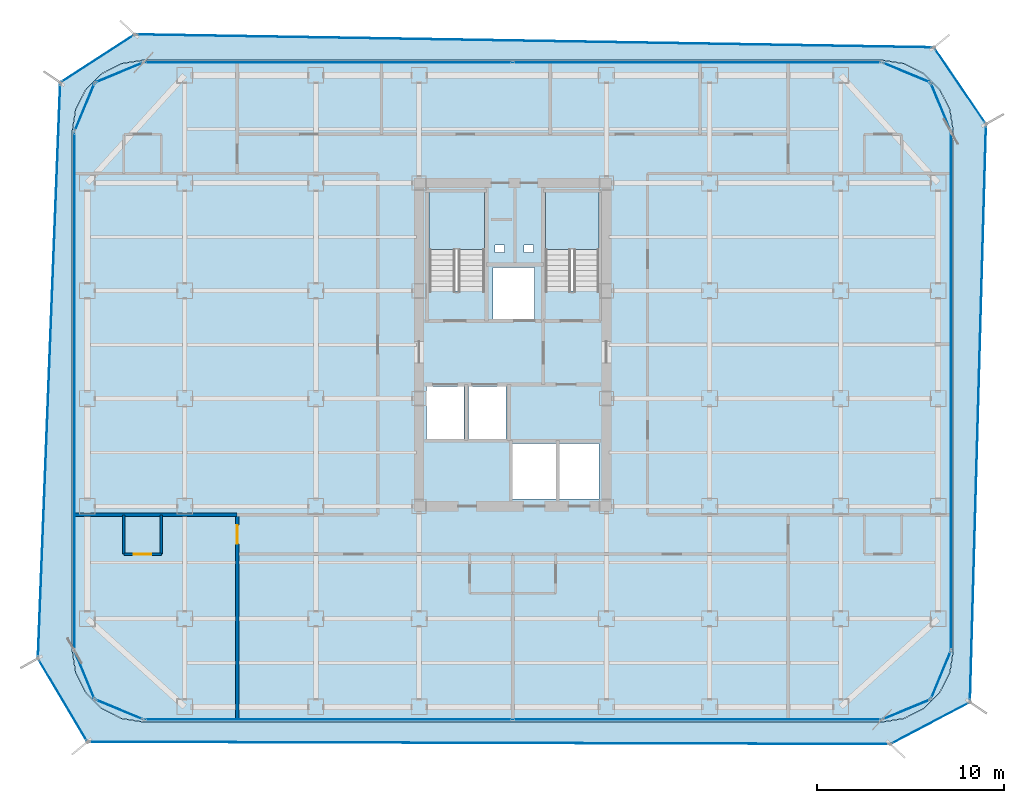
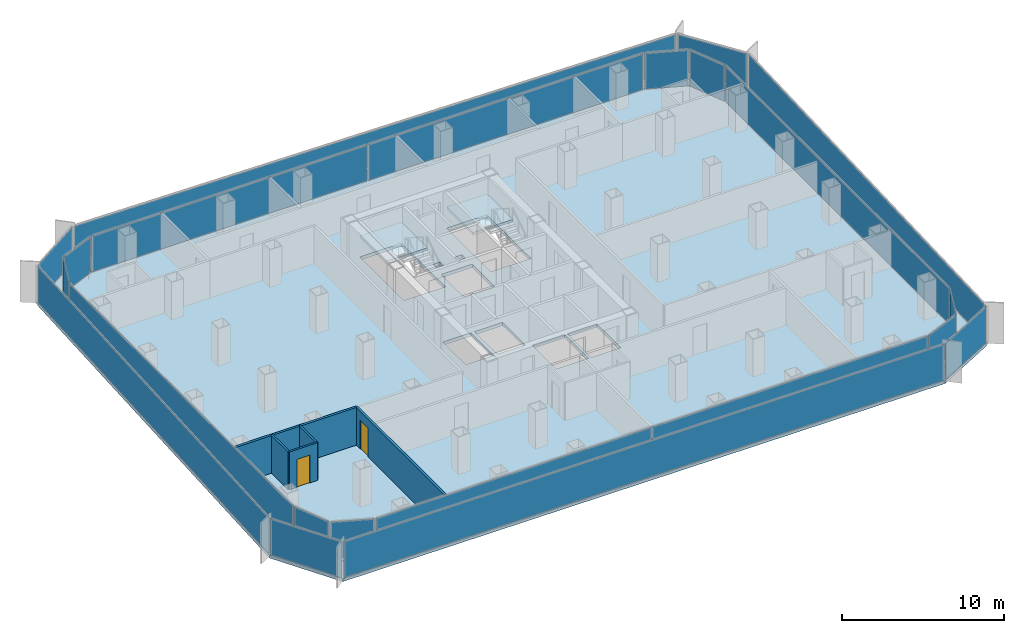
# One storey, part 15 of 21: 22 plates, 5 walls, 4 slabs, 2 doors, 2 openings, 22 elements without a shape of their own.
"""IFC4 building model written with IfcOpenShell, lengths in metres."""

import ifcopenshell
import ifcopenshell.guid

model = None  # the IFC model being written
_history = None  # IfcOwnerHistory: only IFC2X3 demands one
_inside = {}  # id of a spatial element -> (the spatial element, [elements in it])
_under = {}  # id of a project, library or spatial element -> (it, [spatial elements below it])
_declared = {}  # id of a project -> (the project, [libraries it declares])
_typed = {}  # id of a type object -> (the type object, [elements of that type])
_made_of = {}  # id of a material, layer set ... -> (it, [elements and type objects made of it])


def new_model(schema):
    """Start an empty IFC model of exactly this schema.

    Asked for "IFC4X3", IfcOpenShell would pick the latest addendum, in which some entities
    have other attributes; the version numbers below select the first issue.
    IFC2X3 requires an IfcOwnerHistory on every rooted entity: one is made here for all.
    """
    global model, _history
    if schema == "IFC4X3":
        model = ifcopenshell.file(schema_version=(4, 3, 0, 0))
    else:
        model = ifcopenshell.file(schema=schema)
    _inside.clear()
    _under.clear()
    _declared.clear()
    _typed.clear()
    _made_of.clear()
    _history = None
    if model.schema == "IFC2X3":
        org = make("IfcOrganization", Name="unknown")
        user = make(
            "IfcPersonAndOrganization",
            ThePerson=make("IfcPerson", FamilyName="unknown"),
            TheOrganization=org,
        )
        app = make(
            "IfcApplication",
            ApplicationDeveloper=org,
            Version="unknown",
            ApplicationFullName="unknown",
            ApplicationIdentifier="unknown",
        )
        _history = make(
            "IfcOwnerHistory",
            OwningUser=user,
            OwningApplication=app,
            ChangeAction="ADDED",
            CreationDate=0,
        )
    return model


def make(cls, **values):
    """One entity of the class cls with the attributes given. An attribute that is None is left unset."""
    return model.create_entity(
        cls, **{name: value for name, value in values.items() if value is not None}
    )


def rooted(cls, **values):
    """An entity with a GlobalId (a new one), such as an element, a storey or a relation."""
    return make(cls, GlobalId=ifcopenshell.guid.new(), OwnerHistory=_history, **values)


def si_unit(unit_type, name, prefix=None):
    """IfcSIUnit, for example si_unit("LENGTHUNIT", "METRE", prefix="MILLI")."""
    return make("IfcSIUnit", UnitType=unit_type, Prefix=prefix, Name=name)


def assignment(units):
    """IfcUnitAssignment: the units of a project."""
    return None if units is None else make("IfcUnitAssignment", Units=units)


def point(xyz):
    """IfcCartesianPoint."""
    return None if xyz is None else make("IfcCartesianPoint", Coordinates=xyz)


def direction(xyz):
    """IfcDirection."""
    return None if xyz is None else make("IfcDirection", DirectionRatios=xyz)


def frame(location, z_axis=None, x_axis=None):
    """IfcAxis2Placement3D, a coordinate frame: its origin and axes. An axis left out is left unset."""
    return make(
        "IfcAxis2Placement3D",
        Location=point(location),
        Axis=direction(z_axis),
        RefDirection=direction(x_axis),
    )


def frame_2d(location, x_axis=None):
    """IfcAxis2Placement2D, a coordinate frame in the plane: its origin and x axis."""
    return make(
        "IfcAxis2Placement2D", Location=point(location), RefDirection=direction(x_axis)
    )


def origin():
    """The frame at (0, 0, 0) with its axes left unset."""
    return frame((0.0, 0.0, 0.0))


def origin_2d():
    """The frame at (0, 0) in the plane with its x axis left unset."""
    return frame_2d((0.0, 0.0))


def place(relative_to, where):
    """IfcLocalPlacement: puts the frame where relative to a parent placement (None: the world)."""
    return make(
        "IfcLocalPlacement", PlacementRelTo=relative_to, RelativePlacement=where
    )


def context(
    kind, dimensions, precision=None, world=None, true_north=None, identifier=None
):
    """IfcGeometricRepresentationContext, for example the 3D "Model" context."""
    return make(
        "IfcGeometricRepresentationContext",
        ContextIdentifier=identifier,
        ContextType=kind,
        CoordinateSpaceDimension=dimensions,
        Precision=precision,
        WorldCoordinateSystem=world,
        TrueNorth=true_north,
    )


def subcontext(parent, identifier, kind, view, scale=None):
    """IfcGeometricRepresentationSubContext, for example "Body" below "Model"."""
    return make(
        "IfcGeometricRepresentationSubContext",
        ContextIdentifier=identifier,
        ContextType=kind,
        ParentContext=parent,
        TargetScale=scale,
        TargetView=view,
    )


def project(units=None, contexts=None):
    """IfcProject with its units and contexts."""
    return rooted(
        "IfcProject",
        Name="project",
        RepresentationContexts=contexts,
        UnitsInContext=assignment(units),
    )


def spatial(cls, under=None, at=None, **own):
    """A site, building, storey or space (cls), placed at a placement, below another one or the project."""
    s = rooted(cls, ObjectPlacement=at, **own)
    if under is not None:
        _under.setdefault(under.id(), (under, []))[1].append(s)
    return s


def polyline(points):
    """IfcPolyline through the points."""
    return make("IfcPolyline", Points=[point(p) for p in points])


def profile(cls, at=None, kind="AREA", **sizes):
    """A parametric profile (cls). Its sizes go by their IFC names, for example OverallWidth=200.0."""
    return make(cls, ProfileType=kind, Position=at, **sizes)


def rectangle(**sizes):
    """IfcRectangleProfileDef."""
    return profile("IfcRectangleProfileDef", **sizes)


def outline(outer, holes=None, kind="AREA"):
    """IfcArbitraryClosedProfileDef: a profile drawn as a closed curve; with holes, ...WithVoids."""
    if holes is None:
        return make("IfcArbitraryClosedProfileDef", ProfileType=kind, OuterCurve=outer)
    return make(
        "IfcArbitraryProfileDefWithVoids",
        ProfileType=kind,
        OuterCurve=outer,
        InnerCurves=holes,
    )


def extrude(swept, where, along, depth):
    """IfcExtrudedAreaSolid: the profile swept, set in the frame where, extruded along a direction by depth."""
    return make(
        "IfcExtrudedAreaSolid",
        SweptArea=swept,
        Position=where,
        ExtrudedDirection=direction(along),
        Depth=depth,
    )


def shape(context_of_items, identifier, shape_type, items):
    """IfcShapeRepresentation: the items that make up one representation, for example the "Body"."""
    return make(
        "IfcShapeRepresentation",
        ContextOfItems=context_of_items,
        RepresentationIdentifier=identifier,
        RepresentationType=shape_type,
        Items=items,
    )


def source(mapping_origin, context_of_items, identifier, shape_type, items):
    """IfcRepresentationMap: a shape defined once, which mapped items show again and again."""
    return make(
        "IfcRepresentationMap",
        MappingOrigin=mapping_origin,
        MappedRepresentation=shape(context_of_items, identifier, shape_type, items),
    )


def transform(
    local_origin,
    x_axis=None,
    y_axis=None,
    z_axis=None,
    scale=None,
    scale2=None,
    scale3=None,
    uniform=True,
):
    """IfcCartesianTransformationOperator3D, or its non-uniform kind. x_axis, y_axis, z_axis: its Axis1, 2, 3."""
    if uniform:
        return make(
            "IfcCartesianTransformationOperator3D",
            Axis1=direction(x_axis),
            Axis2=direction(y_axis),
            LocalOrigin=point(local_origin),
            Scale=scale,
            Axis3=direction(z_axis),
        )
    return make(
        "IfcCartesianTransformationOperator3DnonUniform",
        Axis1=direction(x_axis),
        Axis2=direction(y_axis),
        LocalOrigin=point(local_origin),
        Scale=scale,
        Axis3=direction(z_axis),
        Scale2=scale2,
        Scale3=scale3,
    )


def mapped(mapping_source, mapping_target):
    """IfcMappedItem: shows the shape of a source again, moved by a transform."""
    return make(
        "IfcMappedItem", MappingSource=mapping_source, MappingTarget=mapping_target
    )


def material(Name=None, Category=None):
    """IfcMaterial."""
    return make("IfcMaterial", Name=Name, Category=Category)


def layer(
    of_material, thickness, ventilated=None, Name=None, Category=None, Priority=None
):
    """IfcMaterialLayer: one layer of a wall or slab, of a material (None: an air gap)."""
    return make(
        "IfcMaterialLayer",
        Material=of_material,
        LayerThickness=thickness,
        IsVentilated=ventilated,
        Name=Name,
        Category=Category,
        Priority=Priority,
    )


def layer_set(layers, Name=None):
    """IfcMaterialLayerSet."""
    return make("IfcMaterialLayerSet", MaterialLayers=layers, LayerSetName=Name)


def made_of(thing, what):
    """Note that an element or type object is made of a material, layer set ...; save() writes the relation."""
    if what is not None:
        _made_of.setdefault(what.id(), (what, []))[1].append(thing)
    return thing


def type_object(cls, material=None, **own):
    """A type object (cls), such as IfcWallType, which elements share."""
    return made_of(rooted(cls, **own), material)


def element(
    cls,
    number,
    at=None,
    inside=None,
    cuts=None,
    type_object=None,
    material=None,
    context=None,
    identifier="Body",
    shape_type=None,
    held_by="IfcProductDefinitionShape",
    body=None,
    shapes=None,
    **own,
):
    """One element of the class cls, such as IfcWall. Its Tag is "e" and its number.

    at: its placement. inside: the storey or other place that contains it. cuts: it is an
    opening in that element (IfcRelVoidsElement). A single representation is given by context,
    identifier, shape_type and body (its items); several are given by shapes. held_by: the class
    of the entity that holds the representations. save() writes the other relations.
    """
    e = rooted(cls, Tag="e%d" % number, ObjectPlacement=at, **own)
    if body is not None:
        shapes = [shape(context, identifier, shape_type, body)]
    if shapes is not None:
        e.Representation = make(held_by, Representations=shapes)
    if inside is not None:
        _inside.setdefault(inside.id(), (inside, []))[1].append(e)
    if cuts is not None:
        rooted(
            "IfcRelVoidsElement", RelatingBuildingElement=cuts, RelatedOpeningElement=e
        )
    if type_object is not None:
        _typed.setdefault(type_object.id(), (type_object, []))[1].append(e)
    return made_of(e, material)


def fill(opening, filler):
    """IfcRelFillsElement: the door or window that sits in an opening."""
    return rooted(
        "IfcRelFillsElement",
        RelatingOpeningElement=opening,
        RelatedBuildingElement=filler,
    )


def aggregate(whole, parts):
    """IfcRelAggregates: a whole, such as a stair, and the parts it consists of."""
    return rooted("IfcRelAggregates", RelatingObject=whole, RelatedObjects=parts)


def save(model, path):
    """Write the relations noted so far, then the file.

    IfcRelAggregates (storeys below a building ...), IfcRelContainedInSpatialStructure (elements
    in a storey), IfcRelDefinesByType, IfcRelAssociatesMaterial and IfcRelDeclares: one each for
    every whole, place, type object, material and project.
    """
    for whole, parts in _under.values():
        aggregate(whole, parts)
    for where, things in _inside.values():
        rooted(
            "IfcRelContainedInSpatialStructure",
            RelatedElements=things,
            RelatingStructure=where,
        )
    for kind, things in _typed.values():
        rooted("IfcRelDefinesByType", RelatedObjects=things, RelatingType=kind)
    for what, things in _made_of.values():
        rooted("IfcRelAssociatesMaterial", RelatedObjects=things, RelatingMaterial=what)
    for by, libraries in _declared.values():
        rooted("IfcRelDeclares", RelatingContext=by, RelatedDefinitions=libraries)
    model.write(path)


model = new_model("IFC4")

# Units and contexts
model_context = context("Model", 3, precision=1e-05, world=origin(), true_north=direction((0.0, 1.0)))
body_context = subcontext(model_context, "Body", "Model", "MODEL_VIEW")
ifc_project = project(units=[si_unit("LENGTHUNIT", "METRE"), si_unit("AREAUNIT", "SQUARE_METRE"), si_unit("VOLUMEUNIT", "CUBIC_METRE"), si_unit("PLANEANGLEUNIT", "RADIAN"), si_unit("MASSUNIT", "GRAM", prefix="KILO")], contexts=[model_context])

# Site, building, storey
site_placement = place(None, origin())
site = spatial("IfcSite", under=ifc_project, at=site_placement, CompositionType="ELEMENT")
building_placement = place(site_placement, origin())
building = spatial("IfcBuilding", under=site, at=building_placement, Name="Kolveth Station Tower", CompositionType="ELEMENT")
storey_placement = place(building_placement, frame((0.0, 0.0, 140.699951171875)))
storey = spatial("IfcBuildingStorey", under=building, at=storey_placement, Name="L39", CompositionType="ELEMENT", Elevation=140.699951171875)

# Slab
ifc_material_1 = material(Name="Concrete C40/50", Category="concrete")
ifc_layer_1 = layer(ifc_material_1, 0.25)
ifc_layer_set_1 = layer_set([ifc_layer_1], Name="Concrete C40/50")
slab_type_1 = type_object("IfcSlabType", Name="Slab_SF-250", PredefinedType="FLOOR", material=ifc_layer_set_1)
slab_1_placement = place(storey_placement, frame((0.0, 0.0, -0.25)))
element("IfcSlab", 1, at=slab_1_placement, inside=storey, type_object=slab_type_1, Name="L39 Tower Structural Floor Slab", PredefinedType="FLOOR", context=body_context, shape_type="SweptSolid", body=[
    extrude(outline(polyline([(43.199951171875, 0.0), (44.374267578125, 0.18603515625), (45.43359375, 0.7255859375), (46.2744140625, 1.56640625), (46.81396484375, 2.625732421875), (47.0, 3.800048828125), (47.0, 31.5), (46.81396484375, 32.67431640625), (46.2744140625, 33.733642578125), (45.43359375, 34.57421875), (44.374267578125, 35.114013671875), (43.199951171875, 35.300048828125), (3.800048828125, 35.300048828125), (2.625732421875, 35.114013671875), (1.56640625, 34.57421875), (0.7255859375, 33.733642578125), (0.18603515625, 32.67431640625), (0.0, 31.5), (0.0, 3.800048828125), (0.18603515625, 2.625732421875), (0.7255859375, 1.56640625), (1.56640625, 0.7255859375), (2.625732421875, 0.18603515625), (3.800048828125, 0.0), (43.199951171875, 0.0)]), holes=[polyline([(19.0400390625, 22.985107421875), (22.0, 22.985107421875), (22.0, 28.39990234375), (19.0400390625, 28.39990234375), (19.0400390625, 22.985107421875)]), polyline([(25.239990234375, 22.985107421875), (28.10009765625, 22.985107421875), (28.10009765625, 28.39990234375), (25.239990234375, 28.39990234375), (25.239990234375, 22.985107421875)]), polyline([(18.89990234375, 15.10009765625), (20.89990234375, 15.10009765625), (20.89990234375, 17.89990234375), (18.89990234375, 17.89990234375), (18.89990234375, 15.10009765625)]), polyline([(21.14990234375, 15.10009765625), (23.14990234375, 15.10009765625), (23.14990234375, 17.89990234375), (21.14990234375, 17.89990234375), (21.14990234375, 15.10009765625)]), polyline([(22.449951171875, 21.5), (24.64990234375, 21.5), (24.64990234375, 24.25), (22.449951171875, 24.25), (22.449951171875, 21.5)]), polyline([(23.5, 11.89990234375), (25.800048828125, 11.89990234375), (25.800048828125, 14.85009765625), (23.5, 14.85009765625), (23.5, 11.89990234375)]), polyline([(26.0, 11.89990234375), (28.10009765625, 11.89990234375), (28.10009765625, 14.85009765625), (26.0, 14.85009765625), (26.0, 11.89990234375)]), polyline([(22.550048828125, 25.050048828125), (23.050048828125, 25.050048828125), (23.050048828125, 25.449951171875), (22.550048828125, 25.449951171875), (22.550048828125, 25.050048828125)]), polyline([(24.10009765625, 25.050048828125), (24.60009765625, 25.050048828125), (24.60009765625, 25.449951171875), (24.10009765625, 25.449951171875), (24.10009765625, 25.050048828125)])]), origin(), (0.0, 0.0, 1.0), 0.25),
])

# Stair, slab
stair_type_1 = type_object("IfcStairType", Name="Stair_ST2", PredefinedType="HALF_TURN_STAIR", material=ifc_material_1)
stair_1_placement = place(storey_placement, origin())
stair_1 = element("IfcStair", 2, at=stair_1_placement, inside=storey, type_object=stair_type_1, Name="L39 Tower Exit Stair ST2", PredefinedType="HALF_TURN_STAIR")
ifc_layer_2 = layer(ifc_material_1, 0.18994140625)
ifc_layer_set_2 = layer_set([ifc_layer_2], Name="Concrete C40/50")
slab_type_2 = type_object("IfcSlabType", Name="Slab_SL-190", PredefinedType="LANDING", material=ifc_layer_set_2)
slab_2_placement = place(storey_placement, frame((0.0, 0.0, 1.400146484375)))
slab_2 = element("IfcSlab", 3, at=slab_2_placement, type_object=slab_type_2, Name="ST2 landing 1", PredefinedType="LANDING", context=body_context, shape_type="SweptSolid", body=[
    extrude(outline(polyline([(28.10009765625, 25.18994140625), (28.10009765625, 28.39990234375), (25.239990234375, 28.39990234375), (25.239990234375, 25.18994140625), (28.10009765625, 25.18994140625)])), origin(), (0.0, 0.0, 1.0), 0.199951171875),
])
aggregate(stair_1, [slab_2])

stair_type_2 = type_object("IfcStairType", Name="Stair_ST1", PredefinedType="HALF_TURN_STAIR", material=ifc_material_1)
stair_2_placement = place(storey_placement, origin())
stair_2 = element("IfcStair", 4, at=stair_2_placement, inside=storey, type_object=stair_type_2, Name="L39 Tower Exit Stair ST1", PredefinedType="HALF_TURN_STAIR")
ifc_layer_3 = layer(ifc_material_1, 0.205078125)
ifc_layer_set_3 = layer_set([ifc_layer_3], Name="Concrete C40/50")
slab_type_3 = type_object("IfcSlabType", Name="Slab_SL-205", PredefinedType="LANDING", material=ifc_layer_set_3)
slab_3_placement = place(storey_placement, frame((0.0, 0.0, 1.400146484375)))
slab_3 = element("IfcSlab", 5, at=slab_3_placement, type_object=slab_type_3, Name="ST1 landing 1", PredefinedType="LANDING", context=body_context, shape_type="SweptSolid", body=[
    extrude(outline(polyline([(22.0, 25.18994140625), (22.0, 28.39990234375), (19.0400390625, 28.39990234375), (19.0400390625, 25.18994140625), (22.0, 25.18994140625)])), origin(), (0.0, 0.0, 1.0), 0.199951171875),
])
aggregate(stair_2, [slab_3])

# Slab
ifc_layer_4 = layer(ifc_material_1, 0.2099609375)
ifc_layer_set_4 = layer_set([ifc_layer_4], Name="Concrete C40/50")
slab_type_4 = type_object("IfcSlabType", Name="Slab_ST-210", PredefinedType="FLOOR", material=ifc_layer_set_4)
slab_4_placement = place(storey_placement, frame((0.0, 0.0, -0.2099609375)))
element("IfcSlab", 6, at=slab_4_placement, inside=storey, type_object=slab_type_4, Name="L39 Double-Skin Cavity Structural Ledger Ring", PredefinedType="FLOOR", context=body_context, shape_type="SweptSolid", body=[
    extrude(outline(polyline([(0.80908203125, -1.0654296875), (-1.8310546875, 3.389892578125), (-0.6396484375, 34.101806640625), (3.33203125, 36.67724609375), (45.974365234375, 35.98583984375), (48.75341796875, 31.900390625), (47.897216796875, 1.0498046875), (43.644775390625, -1.18896484375), (0.80908203125, -1.0654296875)]), holes=[polyline([(43.202392578125, -0.014892578125), (44.376708984375, 0.171142578125), (44.381103515625, 0.172607421875), (45.4404296875, 0.71240234375), (45.444091796875, 0.715087890625), (46.284912109375, 1.555908203125), (46.28759765625, 1.5595703125), (46.827392578125, 2.618896484375), (46.828857421875, 2.623291015625), (47.014892578125, 3.797607421875), (47.014892578125, 3.800048828125), (47.014892578125, 31.5), (47.014892578125, 31.502197265625), (46.828857421875, 32.676513671875), (46.827392578125, 32.68115234375), (46.28759765625, 33.740478515625), (46.284912109375, 33.744140625), (45.444091796875, 34.5849609375), (45.4404296875, 34.587646484375), (44.381103515625, 35.12744140625), (44.376708984375, 35.12890625), (43.202392578125, 35.314697265625), (43.199951171875, 35.31494140625), (3.800048828125, 35.31494140625), (3.797607421875, 35.314697265625), (2.623291015625, 35.12890625), (2.618896484375, 35.12744140625), (1.5595703125, 34.587646484375), (1.555908203125, 34.5849609375), (0.715087890625, 33.744140625), (0.71240234375, 33.740478515625), (0.172607421875, 32.68115234375), (0.171142578125, 32.676513671875), (-0.014892578125, 31.502197265625), (-0.014892578125, 31.5), (-0.014892578125, 3.800048828125), (-0.014892578125, 3.797607421875), (0.171142578125, 2.623291015625), (0.172607421875, 2.618896484375), (0.71240234375, 1.5595703125), (0.715087890625, 1.555908203125), (1.555908203125, 0.715087890625), (1.5595703125, 0.71240234375), (2.618896484375, 0.172607421875), (2.623291015625, 0.171142578125), (3.797607421875, -0.014892578125), (3.800048828125, -0.014892578125), (43.199951171875, -0.014892578125), (43.202392578125, -0.014892578125)])]), origin(), (0.0, 0.0, 1.0), 0.2099609375),
])

# Curtain wall, plate
ifc_material_2 = material(Name="Aluminium 6063-T6 and low-E dark glass", Category="aluminium")
ifc_layer_5 = layer(ifc_material_2, 0.18994140625)
ifc_layer_set_5 = layer_set([ifc_layer_5], Name="Aluminium 6063-T6 and low-E dark glass")
curtain_wall_type_1 = type_object("IfcCurtainWallType", Name="CurtainWall_CW-Z2", PredefinedType="NOTDEFINED", material=ifc_layer_set_5)
curtain_wall_1_placement = place(storey_placement, origin())
curtain_wall_1 = element("IfcCurtainWall", 7, at=curtain_wall_1_placement, inside=storey, type_object=curtain_wall_type_1, Name="L39 Inner Thermal Curtain Wall 1", PredefinedType="NOTDEFINED")
ifc_material_3 = material(Name="Architectural low-E dark glass", Category="glass")
ifc_layer_6 = layer(ifc_material_3, 0.0380859375)
ifc_layer_set_6 = layer_set([ifc_layer_6], Name="Architectural low-E dark glass")
plate_type_1 = type_object("IfcPlateType", Name="Panel_GL2", PredefinedType="CURTAIN_PANEL", material=ifc_layer_set_6)
shared_shape_1 = source(origin(), body_context, "Body", "SweptSolid", [
    extrude(rectangle(XDim=2.670654296875, YDim=0.0380859375, at=origin_2d()), origin(), (0.0, 0.0, 1.0), 2.694091796875),
])
plate_1_placement = place(storey_placement, frame((44.501220703125, 0.658935546875, 0.0732421875), z_axis=(0.0, 0.0, 1.0), x_axis=(0.923887883787, 0.38266326998, 0.0)))
plate_1 = element("IfcPlate", 8, at=plate_1_placement, type_object=plate_type_1, Name="CW-Z2 panel 1.1", PredefinedType="CURTAIN_PANEL", context=body_context, shape_type="MappedRepresentation", body=[
    mapped(shared_shape_1, transform((0.0, 0.0, 0.0), x_axis=(1.0, 0.0, 0.0), y_axis=(0.0, 1.0, 0.0), z_axis=(0.0, 0.0, 1.0), scale=1.0)),
])
aggregate(curtain_wall_1, [plate_1])

curtain_wall_2_placement = place(storey_placement, origin())
curtain_wall_2 = element("IfcCurtainWall", 9, at=curtain_wall_2_placement, inside=storey, type_object=curtain_wall_type_1, Name="L39 Inner Thermal Curtain Wall 2", PredefinedType="NOTDEFINED")
plate_2_placement = place(storey_placement, frame((46.341064453125, 2.498779296875, 0.0732421875), z_axis=(0.0, 0.0, 1.0), x_axis=(0.38266326998, 0.923887883787, 0.0)))
plate_2 = element("IfcPlate", 10, at=plate_2_placement, type_object=plate_type_1, Name="CW-Z2 panel 1.1", PredefinedType="CURTAIN_PANEL", context=body_context, shape_type="MappedRepresentation", body=[
    mapped(shared_shape_1, transform((0.0, 0.0, 0.0), x_axis=(1.0, 0.0, 0.0), y_axis=(0.0, 1.0, 0.0), z_axis=(0.0, 0.0, 1.0), scale=1.0)),
])
aggregate(curtain_wall_2, [plate_2])

curtain_wall_3_placement = place(storey_placement, origin())
curtain_wall_3 = element("IfcCurtainWall", 11, at=curtain_wall_3_placement, inside=storey, type_object=curtain_wall_type_1, Name="L39 Inner Thermal Curtain Wall 4", PredefinedType="NOTDEFINED")
plate_3_placement = place(storey_placement, frame((46.341064453125, 32.801025390625, 0.0732421875), z_axis=(0.0, 0.0, 1.0), x_axis=(-0.38266326998, 0.923887883787, 0.0)))
plate_3 = element("IfcPlate", 12, at=plate_3_placement, type_object=plate_type_1, Name="CW-Z2 panel 1.1", PredefinedType="CURTAIN_PANEL", context=body_context, shape_type="MappedRepresentation", body=[
    mapped(shared_shape_1, transform((0.0, 0.0, 0.0), x_axis=(1.0, 0.0, 0.0), y_axis=(0.0, 1.0, 0.0), z_axis=(0.0, 0.0, 1.0), scale=1.0)),
])
aggregate(curtain_wall_3, [plate_3])

curtain_wall_4_placement = place(storey_placement, origin())
curtain_wall_4 = element("IfcCurtainWall", 13, at=curtain_wall_4_placement, inside=storey, type_object=curtain_wall_type_1, Name="L39 Inner Thermal Curtain Wall 5", PredefinedType="NOTDEFINED")
plate_4_placement = place(storey_placement, frame((44.501220703125, 34.64111328125, 0.0732421875), z_axis=(0.0, 0.0, 1.0), x_axis=(-0.923887883787, 0.38266326998, 0.0)))
plate_4 = element("IfcPlate", 14, at=plate_4_placement, type_object=plate_type_1, Name="CW-Z2 panel 1.1", PredefinedType="CURTAIN_PANEL", context=body_context, shape_type="MappedRepresentation", body=[
    mapped(shared_shape_1, transform((0.0, 0.0, 0.0), x_axis=(1.0, 0.0, 0.0), y_axis=(0.0, 1.0, 0.0), z_axis=(0.0, 0.0, 1.0), scale=1.0)),
])
aggregate(curtain_wall_4, [plate_4])

curtain_wall_5_placement = place(storey_placement, origin())
curtain_wall_5 = element("IfcCurtainWall", 15, at=curtain_wall_5_placement, inside=storey, type_object=curtain_wall_type_1, Name="L39 Inner Thermal Curtain Wall 7", PredefinedType="NOTDEFINED")
plate_5_placement = place(storey_placement, frame((2.498779296875, 34.64111328125, 0.0732421875), z_axis=(0.0, 0.0, 1.0), x_axis=(-0.923887883787, -0.38266326998, 0.0)))
plate_5 = element("IfcPlate", 16, at=plate_5_placement, type_object=plate_type_1, Name="CW-Z2 panel 1.1", PredefinedType="CURTAIN_PANEL", context=body_context, shape_type="MappedRepresentation", body=[
    mapped(shared_shape_1, transform((0.0, 0.0, 0.0), x_axis=(1.0, 0.0, 0.0), y_axis=(0.0, 1.0, 0.0), z_axis=(0.0, 0.0, 1.0), scale=1.0)),
])
aggregate(curtain_wall_5, [plate_5])

curtain_wall_6_placement = place(storey_placement, origin())
curtain_wall_6 = element("IfcCurtainWall", 17, at=curtain_wall_6_placement, inside=storey, type_object=curtain_wall_type_1, Name="L39 Inner Thermal Curtain Wall 8", PredefinedType="NOTDEFINED")
plate_6_placement = place(storey_placement, frame((0.658935546875, 32.801025390625, 0.0732421875), z_axis=(0.0, 0.0, 1.0), x_axis=(-0.38266326998, -0.923887883787, 0.0)))
plate_6 = element("IfcPlate", 18, at=plate_6_placement, type_object=plate_type_1, Name="CW-Z2 panel 1.1", PredefinedType="CURTAIN_PANEL", context=body_context, shape_type="MappedRepresentation", body=[
    mapped(shared_shape_1, transform((0.0, 0.0, 0.0), x_axis=(1.0, 0.0, 0.0), y_axis=(0.0, 1.0, 0.0), z_axis=(0.0, 0.0, 1.0), scale=1.0)),
])
aggregate(curtain_wall_6, [plate_6])

curtain_wall_7_placement = place(storey_placement, origin())
curtain_wall_7 = element("IfcCurtainWall", 19, at=curtain_wall_7_placement, inside=storey, type_object=curtain_wall_type_1, Name="L39 Inner Thermal Curtain Wall 10", PredefinedType="NOTDEFINED")
plate_7_placement = place(storey_placement, frame((0.658935546875, 2.498779296875, 0.0732421875), z_axis=(0.0, 0.0, 1.0), x_axis=(0.38266326998, -0.923887883787, 0.0)))
plate_7 = element("IfcPlate", 20, at=plate_7_placement, type_object=plate_type_1, Name="CW-Z2 panel 1.1", PredefinedType="CURTAIN_PANEL", context=body_context, shape_type="MappedRepresentation", body=[
    mapped(shared_shape_1, transform((0.0, 0.0, 0.0), x_axis=(1.0, 0.0, 0.0), y_axis=(0.0, 1.0, 0.0), z_axis=(0.0, 0.0, 1.0), scale=1.0)),
])
aggregate(curtain_wall_7, [plate_7])

curtain_wall_8_placement = place(storey_placement, origin())
curtain_wall_8 = element("IfcCurtainWall", 21, at=curtain_wall_8_placement, inside=storey, type_object=curtain_wall_type_1, Name="L39 Inner Thermal Curtain Wall 11", PredefinedType="NOTDEFINED")
plate_8_placement = place(storey_placement, frame((2.498779296875, 0.658935546875, 0.0732421875), z_axis=(0.0, 0.0, 1.0), x_axis=(0.923887883787, -0.38266326998, 0.0)))
plate_8 = element("IfcPlate", 22, at=plate_8_placement, type_object=plate_type_1, Name="CW-Z2 panel 1.1", PredefinedType="CURTAIN_PANEL", context=body_context, shape_type="MappedRepresentation", body=[
    mapped(shared_shape_1, transform((0.0, 0.0, 0.0), x_axis=(1.0, 0.0, 0.0), y_axis=(0.0, 1.0, 0.0), z_axis=(0.0, 0.0, 1.0), scale=1.0)),
])
aggregate(curtain_wall_8, [plate_8])

curtain_wall_9_placement = place(storey_placement, origin())
curtain_wall_9 = element("IfcCurtainWall", 23, at=curtain_wall_9_placement, inside=storey, type_object=curtain_wall_type_1, Name="L39 Inner Thermal Curtain Wall 3", PredefinedType="NOTDEFINED")
shared_shape_2 = source(origin(), body_context, "Body", "SweptSolid", [
    extrude(rectangle(XDim=27.553955078125, YDim=0.0380859375, at=origin_2d()), origin(), (0.0, 0.0, 1.0), 2.694091796875),
])
plate_9_placement = place(storey_placement, frame((46.8798828125, 17.64990234375, 0.0732421875), z_axis=(0.0, 0.0, 1.0), x_axis=(0.0, 1.0, 0.0)))
plate_9 = element("IfcPlate", 24, at=plate_9_placement, type_object=plate_type_1, Name="CW-Z2 panel 1.1", PredefinedType="CURTAIN_PANEL", context=body_context, shape_type="MappedRepresentation", body=[
    mapped(shared_shape_2, transform((0.0, 0.0, 0.0), x_axis=(1.0, 0.0, 0.0), y_axis=(0.0, 1.0, 0.0), z_axis=(0.0, 0.0, 1.0), scale=1.0)),
])
aggregate(curtain_wall_9, [plate_9])

curtain_wall_10_placement = place(storey_placement, origin())
curtain_wall_10 = element("IfcCurtainWall", 25, at=curtain_wall_10_placement, inside=storey, type_object=curtain_wall_type_1, Name="L39 Inner Thermal Curtain Wall 9", PredefinedType="NOTDEFINED")
plate_10_placement = place(storey_placement, frame((0.1201171875, 17.64990234375, 0.0732421875), z_axis=(0.0, 0.0, 1.0), x_axis=(0.0, -1.0, 0.0)))
plate_10 = element("IfcPlate", 26, at=plate_10_placement, type_object=plate_type_1, Name="CW-Z2 panel 1.1", PredefinedType="CURTAIN_PANEL", context=body_context, shape_type="MappedRepresentation", body=[
    mapped(shared_shape_2, transform((0.0, 0.0, 0.0), x_axis=(1.0, 0.0, 0.0), y_axis=(0.0, 1.0, 0.0), z_axis=(0.0, 0.0, 1.0), scale=1.0)),
])
aggregate(curtain_wall_10, [plate_10])

# Curtain wall, plates
curtain_wall_11_placement = place(storey_placement, origin())
curtain_wall_11 = element("IfcCurtainWall", 27, at=curtain_wall_11_placement, inside=storey, type_object=curtain_wall_type_1, Name="L39 Inner Thermal Curtain Wall 6", PredefinedType="NOTDEFINED")
shared_shape_3 = source(origin(), body_context, "Body", "SweptSolid", [
    extrude(rectangle(XDim=19.593994140625, YDim=0.0380859375, at=origin_2d()), origin(), (0.0, 0.0, 1.0), 2.694091796875),
])
plate_11_placement = place(storey_placement, frame((33.330078125, 35.179931640625, 0.0732421875), z_axis=(0.0, 0.0, 1.0), x_axis=(-1.0, 0.0, 0.0)))
plate_11 = element("IfcPlate", 28, at=plate_11_placement, type_object=plate_type_1, Name="CW-Z2 panel 1.1", PredefinedType="CURTAIN_PANEL", context=body_context, shape_type="MappedRepresentation", body=[
    mapped(shared_shape_3, transform((0.0, 0.0, 0.0), x_axis=(1.0, 0.0, 0.0), y_axis=(0.0, 1.0, 0.0), z_axis=(0.0, 0.0, 1.0), scale=1.0)),
])
plate_12_placement = place(storey_placement, frame((13.669921875, 35.179931640625, 0.0732421875), z_axis=(0.0, 0.0, 1.0), x_axis=(-1.0, 0.0, 0.0)))
plate_12 = element("IfcPlate", 29, at=plate_12_placement, type_object=plate_type_1, Name="CW-Z2 panel 2.1", PredefinedType="CURTAIN_PANEL", context=body_context, shape_type="MappedRepresentation", body=[
    mapped(shared_shape_3, transform((0.0, 0.0, 0.0), x_axis=(1.0, 0.0, 0.0), y_axis=(0.0, 1.0, 0.0), z_axis=(0.0, 0.0, 1.0), scale=1.0)),
])
aggregate(curtain_wall_11, [plate_11, plate_12])

curtain_wall_12_placement = place(storey_placement, origin())
curtain_wall_12 = element("IfcCurtainWall", 30, at=curtain_wall_12_placement, inside=storey, type_object=curtain_wall_type_1, Name="L39 Inner Thermal Curtain Wall 12", PredefinedType="NOTDEFINED")
plate_13_placement = place(storey_placement, frame((13.669921875, 0.1201171875, 0.0732421875), z_axis=(0.0, 0.0, 1.0), x_axis=(1.0, 0.0, 0.0)))
plate_13 = element("IfcPlate", 31, at=plate_13_placement, type_object=plate_type_1, Name="CW-Z2 panel 1.1", PredefinedType="CURTAIN_PANEL", context=body_context, shape_type="MappedRepresentation", body=[
    mapped(shared_shape_3, transform((0.0, 0.0, 0.0), x_axis=(1.0, 0.0, 0.0), y_axis=(0.0, 1.0, 0.0), z_axis=(0.0, 0.0, 1.0), scale=1.0)),
])
plate_14_placement = place(storey_placement, frame((33.330078125, 0.1201171875, 0.0732421875), z_axis=(0.0, 0.0, 1.0), x_axis=(1.0, 0.0, 0.0)))
plate_14 = element("IfcPlate", 32, at=plate_14_placement, type_object=plate_type_1, Name="CW-Z2 panel 2.1", PredefinedType="CURTAIN_PANEL", context=body_context, shape_type="MappedRepresentation", body=[
    mapped(shared_shape_3, transform((0.0, 0.0, 0.0), x_axis=(1.0, 0.0, 0.0), y_axis=(0.0, 1.0, 0.0), z_axis=(0.0, 0.0, 1.0), scale=1.0)),
])
aggregate(curtain_wall_12, [plate_13, plate_14])

# Curtain wall, plate
ifc_material_4 = material(Name="Black anodized aluminium 6063-T6 and dark solar glass", Category="aluminium")
ifc_layer_7 = layer(ifc_material_4, 0.159912109375)
ifc_layer_set_7 = layer_set([ifc_layer_7], Name="Black anodized aluminium 6063-T6 and dark solar glass")
curtain_wall_type_2 = type_object("IfcCurtainWallType", Name="OUTER SKIN CW-OS", PredefinedType="NOTDEFINED", material=ifc_layer_set_7)
curtain_wall_13_placement = place(storey_placement, origin())
curtain_wall_13 = element("IfcCurtainWall", 33, at=curtain_wall_13_placement, inside=storey, type_object=curtain_wall_type_2, Name="L39 Outer Ventilated Skin Curtain Wall 1", PredefinedType="NOTDEFINED")
ifc_layer_8 = layer(ifc_material_3, 0.028076171875)
ifc_layer_set_8 = layer_set([ifc_layer_8], Name="Architectural low-E dark glass")
plate_type_2 = type_object("IfcPlateType", Name="Panel_GL-OS", PredefinedType="CURTAIN_PANEL", material=ifc_layer_set_8)
shared_shape_4 = source(origin(), body_context, "Body", "SweptSolid", [
    extrude(rectangle(XDim=4.6396484375, YDim=0.028076171875, at=origin_2d()), origin(), (0.0, 0.0, 1.0), 2.694091796875),
])
plate_15_placement = place(storey_placement, frame((45.77099609375, -0.069580078125, 0.0732421875), z_axis=(0.0, 0.0, 1.0), x_axis=(0.88485411737, 0.465868212022, 0.0)))
plate_15 = element("IfcPlate", 34, at=plate_15_placement, type_object=plate_type_2, Name="CW-OS panel 1.1", PredefinedType="CURTAIN_PANEL", context=body_context, shape_type="MappedRepresentation", body=[
    mapped(shared_shape_4, transform((0.0, 0.0, 0.0), x_axis=(1.0, 0.0, 0.0), y_axis=(0.0, 1.0, 0.0), z_axis=(0.0, 0.0, 1.0), scale=1.0)),
])
aggregate(curtain_wall_13, [plate_15])

curtain_wall_14_placement = place(storey_placement, origin())
curtain_wall_14 = element("IfcCurtainWall", 35, at=curtain_wall_14_placement, inside=storey, type_object=curtain_wall_type_2, Name="L39 Outer Ventilated Skin Curtain Wall 2", PredefinedType="NOTDEFINED")
shared_shape_5 = source(origin(), body_context, "Body", "SweptSolid", [
    extrude(rectangle(XDim=30.696533203125, YDim=0.028076171875, at=origin_2d()), origin(), (0.0, 0.0, 1.0), 2.694091796875),
])
plate_16_placement = place(storey_placement, frame((48.3251953125, 16.47509765625, 0.0732421875), z_axis=(0.0, 0.0, 1.0), x_axis=(0.027748810364, 0.999614927621, 0.0)))
plate_16 = element("IfcPlate", 36, at=plate_16_placement, type_object=plate_type_2, Name="CW-OS panel 1.1", PredefinedType="CURTAIN_PANEL", context=body_context, shape_type="MappedRepresentation", body=[
    mapped(shared_shape_5, transform((0.0, 0.0, 0.0), x_axis=(1.0, 0.0, 0.0), y_axis=(0.0, 1.0, 0.0), z_axis=(0.0, 0.0, 1.0), scale=1.0)),
])
aggregate(curtain_wall_14, [plate_16])

curtain_wall_15_placement = place(storey_placement, origin())
curtain_wall_15 = element("IfcCurtainWall", 37, at=curtain_wall_15_placement, inside=storey, type_object=curtain_wall_type_2, Name="L39 Outer Ventilated Skin Curtain Wall 3", PredefinedType="NOTDEFINED")
shared_shape_6 = source(origin(), body_context, "Body", "SweptSolid", [
    extrude(rectangle(XDim=4.77490234375, YDim=0.028076171875, at=origin_2d()), origin(), (0.0, 0.0, 1.0), 2.694091796875),
])
plate_17_placement = place(storey_placement, frame((47.364013671875, 33.943115234375, 0.0732421875), z_axis=(0.0, 0.0, 1.0), x_axis=(-0.562452281484, 0.82682974732, 0.0)))
plate_17 = element("IfcPlate", 38, at=plate_17_placement, type_object=plate_type_2, Name="CW-OS panel 1.1", PredefinedType="CURTAIN_PANEL", context=body_context, shape_type="MappedRepresentation", body=[
    mapped(shared_shape_6, transform((0.0, 0.0, 0.0), x_axis=(1.0, 0.0, 0.0), y_axis=(0.0, 1.0, 0.0), z_axis=(0.0, 0.0, 1.0), scale=1.0)),
])
aggregate(curtain_wall_15, [plate_17])

curtain_wall_16_placement = place(storey_placement, origin())
curtain_wall_16 = element("IfcCurtainWall", 39, at=curtain_wall_16_placement, inside=storey, type_object=curtain_wall_type_2, Name="L39 Outer Ventilated Skin Curtain Wall 4", PredefinedType="NOTDEFINED")
shared_shape_7 = source(origin(), body_context, "Body", "SweptSolid", [
    extrude(rectangle(XDim=42.48193359375, YDim=0.028076171875, at=origin_2d()), origin(), (0.0, 0.0, 1.0), 2.694091796875),
])
plate_18_placement = place(storey_placement, frame((24.6533203125, 36.33154296875, 0.0732421875), z_axis=(0.0, 0.0, 1.0), x_axis=(-0.999868580486, 0.016211778343, 0.0)))
plate_18 = element("IfcPlate", 40, at=plate_18_placement, type_object=plate_type_2, Name="CW-OS panel 1.1", PredefinedType="CURTAIN_PANEL", context=body_context, shape_type="MappedRepresentation", body=[
    mapped(shared_shape_7, transform((0.0, 0.0, 0.0), x_axis=(1.0, 0.0, 0.0), y_axis=(0.0, 1.0, 0.0), z_axis=(0.0, 0.0, 1.0), scale=1.0)),
])
aggregate(curtain_wall_16, [plate_18])

curtain_wall_17_placement = place(storey_placement, origin())
curtain_wall_17 = element("IfcCurtainWall", 41, at=curtain_wall_17_placement, inside=storey, type_object=curtain_wall_type_2, Name="L39 Outer Ventilated Skin Curtain Wall 5", PredefinedType="NOTDEFINED")
shared_shape_8 = source(origin(), body_context, "Body", "SweptSolid", [
    extrude(rectangle(XDim=4.567626953125, YDim=0.028076171875, at=origin_2d()), origin(), (0.0, 0.0, 1.0), 2.694091796875),
])
plate_19_placement = place(storey_placement, frame((1.34619140625, 35.3896484375, 0.0732421875), z_axis=(0.0, 0.0, 1.0), x_axis=(-0.839042086948, -0.544066518295, 0.0)))
plate_19 = element("IfcPlate", 42, at=plate_19_placement, type_object=plate_type_2, Name="CW-OS panel 1.1", PredefinedType="CURTAIN_PANEL", context=body_context, shape_type="MappedRepresentation", body=[
    mapped(shared_shape_8, transform((0.0, 0.0, 0.0), x_axis=(1.0, 0.0, 0.0), y_axis=(0.0, 1.0, 0.0), z_axis=(0.0, 0.0, 1.0), scale=1.0)),
])
aggregate(curtain_wall_17, [plate_19])

curtain_wall_18_placement = place(storey_placement, origin())
curtain_wall_18 = element("IfcCurtainWall", 43, at=curtain_wall_18_placement, inside=storey, type_object=curtain_wall_type_2, Name="L39 Outer Ventilated Skin Curtain Wall 6", PredefinedType="NOTDEFINED")
shared_shape_9 = source(origin(), body_context, "Body", "SweptSolid", [
    extrude(rectangle(XDim=30.569091796875, YDim=0.028076171875, at=origin_2d()), origin(), (0.0, 0.0, 1.0), 2.694091796875),
])
plate_20_placement = place(storey_placement, frame((-1.2353515625, 18.745849609375, 0.0732421875), z_axis=(0.0, 0.0, 1.0), x_axis=(-0.038760123555, -0.999248544068, 0.0)))
plate_20 = element("IfcPlate", 44, at=plate_20_placement, type_object=plate_type_2, Name="CW-OS panel 1.1", PredefinedType="CURTAIN_PANEL", context=body_context, shape_type="MappedRepresentation", body=[
    mapped(shared_shape_9, transform((0.0, 0.0, 0.0), x_axis=(1.0, 0.0, 0.0), y_axis=(0.0, 1.0, 0.0), z_axis=(0.0, 0.0, 1.0), scale=1.0)),
])
aggregate(curtain_wall_18, [plate_20])

curtain_wall_19_placement = place(storey_placement, origin())
curtain_wall_19 = element("IfcCurtainWall", 45, at=curtain_wall_19_placement, inside=storey, type_object=curtain_wall_type_2, Name="L39 Outer Ventilated Skin Curtain Wall 7", PredefinedType="NOTDEFINED")
shared_shape_10 = source(origin(), body_context, "Body", "SweptSolid", [
    extrude(rectangle(XDim=5.0126953125, YDim=0.028076171875, at=origin_2d()), origin(), (0.0, 0.0, 1.0), 2.694091796875),
])
plate_21_placement = place(storey_placement, frame((-0.510986328125, 1.162109375, 0.0732421875), z_axis=(0.0, 0.0, 1.0), x_axis=(0.509799743769, -0.860293101945, 0.0)))
plate_21 = element("IfcPlate", 46, at=plate_21_placement, type_object=plate_type_2, Name="CW-OS panel 1.1", PredefinedType="CURTAIN_PANEL", context=body_context, shape_type="MappedRepresentation", body=[
    mapped(shared_shape_10, transform((0.0, 0.0, 0.0), x_axis=(1.0, 0.0, 0.0), y_axis=(0.0, 1.0, 0.0), z_axis=(0.0, 0.0, 1.0), scale=1.0)),
])
aggregate(curtain_wall_19, [plate_21])

curtain_wall_20_placement = place(storey_placement, origin())
curtain_wall_20 = element("IfcCurtainWall", 47, at=curtain_wall_20_placement, inside=storey, type_object=curtain_wall_type_2, Name="L39 Outer Ventilated Skin Curtain Wall 8", PredefinedType="NOTDEFINED")
shared_shape_11 = source(origin(), body_context, "Body", "SweptSolid", [
    extrude(rectangle(XDim=42.669921875, YDim=0.028076171875, at=origin_2d()), origin(), (0.0, 0.0, 1.0), 2.694091796875),
])
plate_22_placement = place(storey_placement, frame((22.22705078125, -1.127197265625, 0.0732421875), z_axis=(0.0, 0.0, 1.0), x_axis=(0.999995837133, -0.002885431667, 0.0)))
plate_22 = element("IfcPlate", 48, at=plate_22_placement, type_object=plate_type_2, Name="CW-OS panel 1.1", PredefinedType="CURTAIN_PANEL", context=body_context, shape_type="MappedRepresentation", body=[
    mapped(shared_shape_11, transform((0.0, 0.0, 0.0), x_axis=(1.0, 0.0, 0.0), y_axis=(0.0, 1.0, 0.0), z_axis=(0.0, 0.0, 1.0), scale=1.0)),
])
aggregate(curtain_wall_20, [plate_22])

# Walls
ifc_material_5 = material(Name="Moisture-resistant gypsum partition")
ifc_layer_9 = layer(ifc_material_5, 0.135009765625)
ifc_layer_set_9 = layer_set([ifc_layer_9], Name="Moisture-resistant gypsum partition")
wall_type_1 = type_object("IfcWallType", Name="Wall_IW-135", PredefinedType="PARTITIONING", material=ifc_layer_set_9)
for number, where, z_axis, x_axis, name in (
    (49, (2.75, 8.949951171875, 0.0), (0.0, 0.0, 1.0), (0.0, 1.0, 0.0), "L39 Partition Wall WL-L39-WS1-BV1"),
    (50, (4.75, 8.949951171875, 0.0), (0.0, 0.0, 1.0), (0.0, 1.0, 0.0), "L39 Partition Wall WL-L39-WS1-BV2"),
):
    element("IfcWall", number, at=place(storey_placement, frame(where, z_axis=z_axis, x_axis=x_axis)), inside=storey, type_object=wall_type_1, Name=name, PredefinedType="PARTITIONING", context=body_context, shape_type="SweptSolid", body=[
        extrude(rectangle(XDim=2.10009765625, YDim=0.135009765625, at=frame_2d((1.050048828125, 0.0))), origin(), (0.0, 0.0, 1.0), 2.840087890625),
    ])

# Wall, opening, door
wall_1_placement = place(storey_placement, frame((2.75, 8.949951171875, 0.0), z_axis=(0.0, 0.0, 1.0), x_axis=(1.0, 0.0, 0.0)))
wall_1 = element("IfcWall", 51, at=wall_1_placement, inside=storey, type_object=wall_type_1, Name="L39 Partition Wall WL-L39-WS1-BH", PredefinedType="PARTITIONING", context=body_context, shape_type="SweptSolid", body=[
    extrude(rectangle(XDim=2.0, YDim=0.135009765625, at=frame_2d((1.0, 0.0))), origin(), (0.0, 0.0, 1.0), 2.840087890625),
])
opening_1_placement = place(wall_1_placement, frame((0.5400390625, 0.0, 0.0)))
opening_1 = element("IfcOpeningElement", 52, at=opening_1_placement, cuts=wall_1, Name="Opening ID2", PredefinedType="OPENING", context=body_context, shape_type="SweptSolid", body=[
    extrude(rectangle(XDim=0.919921875, YDim=2.10009765625, at=frame_2d((0.4599609375, 1.050048828125))), frame((0.0, 0.077392578125, 0.0), z_axis=(0.0, -1.0, 0.0), x_axis=(1.0, 0.0, 0.0)), (0.0, 0.0, 1.0), 0.155029296875),
])
ifc_material_6 = material(Name="Moisture-resistant hardwood leaf", Category="wood")
door_type_1 = type_object("IfcDoorType", Name="Door_ID2", OperationType="NOTDEFINED", PredefinedType="DOOR", material=ifc_material_6)
door_1_placement = place(opening_1_placement, origin())
door_1 = element("IfcDoor", 53, at=door_1_placement, inside=storey, type_object=door_type_1, Name="L39 Hotel Corner Suite WS1 En-Suite Door", OperationType="SINGLE_SWING_RIGHT", OverallHeight=2.10009765625, OverallWidth=0.919921875, PredefinedType="DOOR", context=body_context, shape_type="SweptSolid", body=[
    extrude(rectangle(XDim=0.919921875, YDim=2.10009765625, at=frame_2d((0.4599609375, 1.050048828125))), frame((0.0, 0.02490234375, 0.0), z_axis=(0.0, -1.0, 0.0), x_axis=(1.0, 0.0, 0.0)), (0.0, 0.0, 1.0), 0.050048828125),
])
fill(opening_1, door_1)

ifc_material_7 = material(Name="Acoustic double-stud gypsum partition")
ifc_layer_10 = layer(ifc_material_7, 0.1650390625)
ifc_layer_set_10 = layer_set([ifc_layer_10], Name="Acoustic double-stud gypsum partition")
wall_type_2 = type_object("IfcWallType", Name="Wall_IW-165", PredefinedType="PARTITIONING", material=ifc_layer_set_10)
wall_2_placement = place(storey_placement, frame((8.800048828125, 0.159912109375, 0.0), z_axis=(0.0, 0.0, 1.0), x_axis=(0.0, 1.0, 0.0)))
wall_2 = element("IfcWall", 54, at=wall_2_placement, inside=storey, type_object=wall_type_2, Name="L39 Partition Wall WL-L39-END-WS", PredefinedType="PARTITIONING", context=body_context, shape_type="SweptSolid", body=[
    extrude(rectangle(XDim=10.89013671875, YDim=0.1650390625, at=frame_2d((5.445068359375, 0.0))), origin(), (0.0, 0.0, 1.0), 2.840087890625),
])
opening_2_placement = place(wall_2_placement, frame((9.340087890625, 0.0, 0.0)))
opening_2 = element("IfcOpeningElement", 55, at=opening_2_placement, cuts=wall_2, Name="Opening FD3", PredefinedType="OPENING", context=body_context, shape_type="SweptSolid", body=[
    extrude(rectangle(XDim=1.0, YDim=2.14990234375, at=frame_2d((0.5, 1.074951171875))), frame((0.0, 0.092529296875, 0.0), z_axis=(0.0, -1.0, 0.0), x_axis=(1.0, 0.0, 0.0)), (0.0, 0.0, 1.0), 0.18505859375),
])
ifc_material_8 = material(Name="Fire-rated hardwood leaf and aluminium frame", Category="wood")
door_type_2 = type_object("IfcDoorType", Name="Door_FD3", OperationType="NOTDEFINED", PredefinedType="DOOR", material=ifc_material_8)
door_2_placement = place(opening_2_placement, origin())
door_2 = element("IfcDoor", 56, at=door_2_placement, inside=storey, type_object=door_type_2, Name="L39 Hotel Corner Suite WS1 Entrance Door", OperationType="SINGLE_SWING_LEFT", OverallHeight=2.14990234375, OverallWidth=1.0, PredefinedType="DOOR", context=body_context, shape_type="SweptSolid", body=[
    extrude(rectangle(XDim=1.0, YDim=2.14990234375, at=frame_2d((0.5, 1.074951171875))), frame((0.0, 0.02490234375, 0.0), z_axis=(0.0, -1.0, 0.0), x_axis=(1.0, 0.0, 0.0)), (0.0, 0.0, 1.0), 0.050048828125),
])
fill(opening_2, door_2)

# Wall
wall_3_placement = place(storey_placement, frame((0.159912109375, 11.050048828125, 0.0), z_axis=(0.0, 0.0, 1.0), x_axis=(1.0, 0.0, 0.0)))
element("IfcWall", 57, at=wall_3_placement, inside=storey, type_object=wall_type_2, Name="L39 Partition Wall WL-L39-WM1", PredefinedType="PARTITIONING", context=body_context, shape_type="SweptSolid", body=[
    extrude(rectangle(XDim=8.64013671875, YDim=0.1650390625, at=frame_2d((4.320068359375, 0.0))), origin(), (0.0, 0.0, 1.0), 2.840087890625),
])

save(model, "model.ifc")
